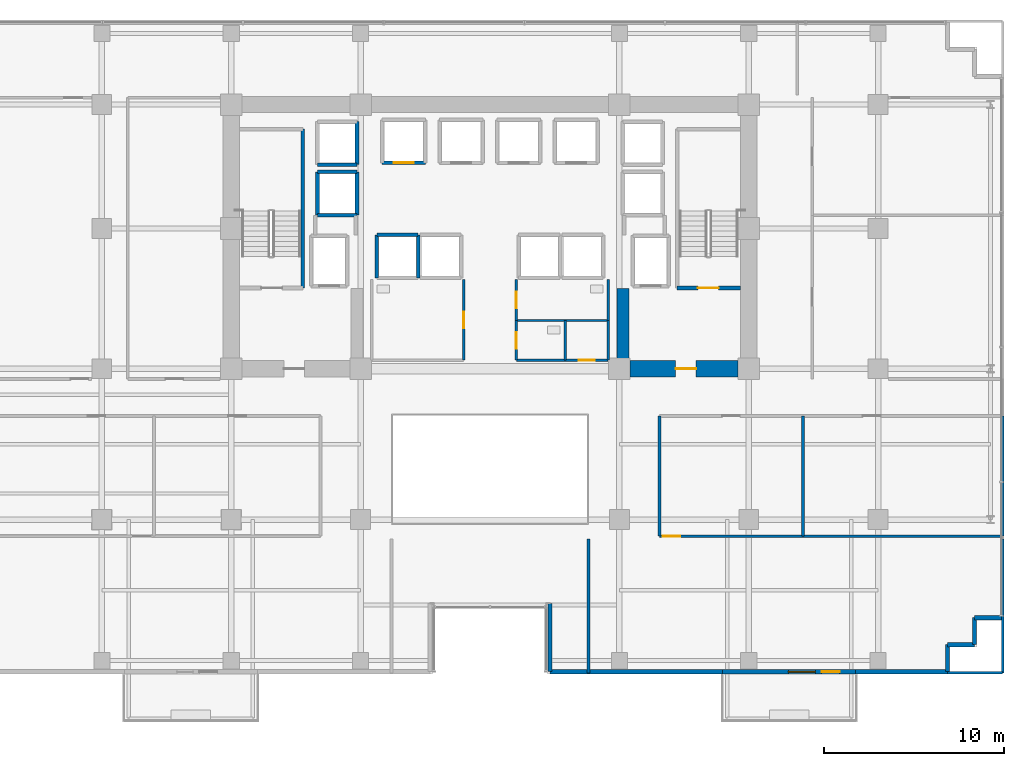
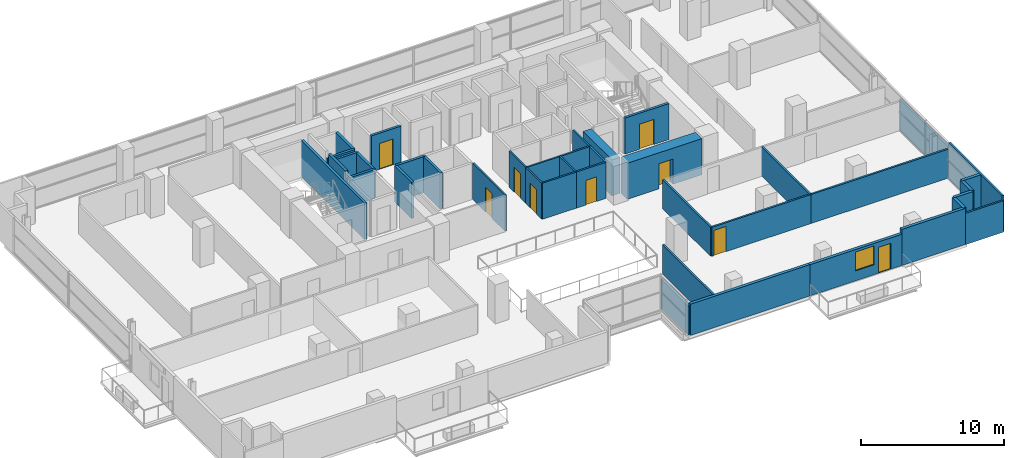
# One storey, part 24 of 30: 39 walls, 9 doors, 1 window, 10 openings.
"""IFC4 building model written with IfcOpenShell, lengths in metres."""

from ifc_helpers import new_model, si_unit, direction, frame, frame_2d, origin, place, context, subcontext, project, spatial, rectangle, extrude, source, transform, mapped, material, layer, layer_set, type_object, element, fill, save


model = new_model("IFC4")

# Units and contexts
model_context = context("Model", 3, precision=1e-05, world=origin(), true_north=direction((0.0, 1.0)))
body_context = subcontext(model_context, "Body", "Model", "MODEL_VIEW")
ifc_project = project(units=[si_unit("LENGTHUNIT", "METRE"), si_unit("AREAUNIT", "SQUARE_METRE"), si_unit("VOLUMEUNIT", "CUBIC_METRE"), si_unit("PLANEANGLEUNIT", "RADIAN"), si_unit("MASSUNIT", "GRAM", prefix="KILO")], contexts=[model_context])

# Site, building, storey
site_placement = place(None, origin())
site = spatial("IfcSite", under=ifc_project, at=site_placement, CompositionType="ELEMENT")
building_placement = place(site_placement, origin())
building = spatial("IfcBuilding", under=site, at=building_placement, Name="Zarnakvel Exchange Tower", CompositionType="ELEMENT")
storey_placement = place(building_placement, frame((0.0, 0.0, 40.60009765625)))
storey = spatial("IfcBuildingStorey", under=building, at=storey_placement, Name="L10", CompositionType="ELEMENT", Elevation=40.60009765625)

# Wall, opening, door
ifc_material_1 = material(Name="Concrete C80/95", Category="concrete")
ifc_layer_1 = layer(ifc_material_1, 0.89990234375)
ifc_layer_set_1 = layer_set([ifc_layer_1], Name="Concrete C80/95")
wall_type_1 = type_object("IfcWallType", Name="CW-C1", PredefinedType="SHEAR", material=ifc_layer_set_1)
wall_1_placement = place(storey_placement, frame((13.800048828125, -1.199951171875, 0.0), z_axis=(0.0, 0.0, 1.0), x_axis=(-1.0, 0.0, 0.0)))
wall_1 = element("IfcWall", 1, at=wall_1_placement, inside=storey, type_object=wall_type_1, Name="L10 Rear Core Shear Wall SE (CW-C1)", PredefinedType="SHEAR", context=body_context, shape_type="SweptSolid", body=[
    extrude(rectangle(XDim=6.0, YDim=0.89990234375, at=frame_2d((3.0, 0.0))), origin(), (0.0, 0.0, 1.0), 3.074951171875),
])
opening_1_placement = place(wall_1_placement, frame((2.324951171875, 0.0, 0.0)))
opening_1 = element("IfcOpeningElement", 2, at=opening_1_placement, cuts=wall_1, Name="Opening D-L10-04", PredefinedType="OPENING", context=body_context, shape_type="SweptSolid", body=[
    extrude(rectangle(XDim=1.14990234375, YDim=2.14990234375, at=frame_2d((0.574951171875, 1.074951171875))), frame((0.0, 0.4599609375, 0.0), z_axis=(0.0, -1.0, 0.0), x_axis=(1.0, 0.0, 0.0)), (0.0, 0.0, 1.0), 0.919921875),
])
ifc_material_2 = material(Name="Painted Galvanised Steel S355", Category="steel")
door_type_1 = type_object("IfcDoorType", Name="DT-04", OperationType="NOTDEFINED", PredefinedType="DOOR", material=ifc_material_2)
shared_shape_1 = source(origin(), body_context, "Body", "SweptSolid", [
    extrude(rectangle(XDim=1.14990234375, YDim=2.14990234375, at=frame_2d((0.574951171875, 1.074951171875))), frame((0.0, 0.02490234375, 0.0), z_axis=(0.0, -1.0, 0.0), x_axis=(1.0, 0.0, 0.0)), (0.0, 0.0, 1.0), 0.050048828125),
])
door_1_placement = place(opening_1_placement, origin())
door_1 = element("IfcDoor", 3, at=door_1_placement, inside=storey, type_object=door_type_1, Name="L10 Firefighting Lobby East Door D-L10-04", OperationType="SINGLE_SWING_RIGHT", OverallHeight=2.14990234375, OverallWidth=1.14990234375, PredefinedType="DOOR", context=body_context, shape_type="MappedRepresentation", body=[
    mapped(shared_shape_1, transform((0.0, 0.0, 0.0), x_axis=(1.0, 0.0, 0.0), y_axis=(0.0, 1.0, 0.0), z_axis=(0.0, 0.0, 1.0), scale=1.0)),
])
fill(opening_1, door_1)

# Wall
ifc_layer_2 = layer(ifc_material_1, 0.64990234375)
ifc_layer_set_2 = layer_set([ifc_layer_2], Name="Concrete C80/95")
wall_type_2 = type_object("IfcWallType", Name="CW-C2", PredefinedType="SHEAR", material=ifc_layer_set_2)
wall_2_placement = place(storey_placement, frame((7.39990234375, -0.75, 0.0), z_axis=(0.0, 0.0, 1.0), x_axis=(0.0, 1.0, 0.0)))
element("IfcWall", 4, at=wall_2_placement, inside=storey, type_object=wall_type_2, Name="L10 Rear Core Shear Wall IE (CW-C2)", PredefinedType="SHEAR", context=body_context, shape_type="SweptSolid", body=[
    extrude(rectangle(XDim=4.0, YDim=0.64990234375, at=frame_2d((2.0, 0.0))), origin(), (0.0, 0.0, 1.0), 3.074951171875),
])

# Wall, openings, door, window
ifc_material_3 = material(Name="Precast concrete C40/50", Category="concrete")
ifc_layer_3 = layer(ifc_material_3, 0.239990234375)
ifc_layer_set_3 = layer_set([ifc_layer_3], Name="Precast concrete C40/50")
wall_type_3 = type_object("IfcWallType", Name="EW-02", PredefinedType="SOLIDWALL", material=ifc_layer_set_3)
wall_3_placement = place(storey_placement, frame((20.35009765625, -18.06005859375, 0.0), z_axis=(0.0, 0.0, 1.0), x_axis=(-1.0, 0.0, 0.0)))
wall_3 = element("IfcWall", 5, at=wall_3_placement, inside=storey, type_object=wall_type_3, Name="L10 Exterior Precast Spandrel Wall EW-BAL-L10-SE (EW-02)", PredefinedType="SOLIDWALL", context=body_context, shape_type="SweptSolid", body=[
    extrude(rectangle(XDim=7.400146484375, YDim=0.239990234375, at=frame_2d((3.7001953125, 0.0))), origin(), (0.0, 0.0, 1.0), 2.664794921875),
])
opening_2_placement = place(wall_3_placement, frame((0.887939453125, 0.0, 0.0)))
opening_2 = element("IfcOpeningElement", 6, at=opening_2_placement, cuts=wall_3, Name="Opening BD-L10-02", PredefinedType="OPENING", context=body_context, shape_type="SweptSolid", body=[
    extrude(rectangle(XDim=1.0, YDim=2.199951171875, at=frame_2d((0.5, 1.10009765625))), frame((0.0, 0.1298828125, 0.0), z_axis=(0.0, -1.0, 0.0), x_axis=(1.0, 0.0, 0.0)), (0.0, 0.0, 1.0), 0.260009765625),
])
opening_3_placement = place(wall_3_placement, frame((2.238037109375, 0.0, 0.85009765625)))
opening_3 = element("IfcOpeningElement", 7, at=opening_3_placement, cuts=wall_3, Name="Opening WN-03", PredefinedType="OPENING", context=body_context, shape_type="SweptSolid", body=[
    extrude(rectangle(XDim=1.5, YDim=1.60009765625, at=frame_2d((0.75, 0.800048828125))), frame((0.0, 0.1298828125, 0.0), z_axis=(0.0, -1.0, 0.0), x_axis=(1.0, 0.0, 0.0)), (0.0, 0.0, 1.0), 0.260009765625),
])
ifc_material_4 = material(Name="Architectural Bronze Anodised Aluminium", Category="aluminium")
door_type_2 = type_object("IfcDoorType", Name="DT-09", OperationType="NOTDEFINED", PredefinedType="DOOR", material=ifc_material_4)
shared_shape_2 = source(origin(), body_context, "Body", "SweptSolid", [
    extrude(rectangle(XDim=1.0, YDim=2.199951171875, at=frame_2d((0.5, 1.10009765625))), frame((0.0, 0.02490234375, 0.0), z_axis=(0.0, -1.0, 0.0), x_axis=(1.0, 0.0, 0.0)), (0.0, 0.0, 1.0), 0.050048828125),
])
door_2_placement = place(opening_2_placement, origin())
door_2 = element("IfcDoor", 8, at=door_2_placement, inside=storey, type_object=door_type_2, Name="L10 Planted Loggia Balcony Door BD-L10-02", OperationType="SINGLE_SWING_LEFT", OverallHeight=2.199951171875, OverallWidth=1.0, PredefinedType="DOOR", context=body_context, shape_type="MappedRepresentation", body=[
    mapped(shared_shape_2, transform((0.0, 0.0, 0.0), x_axis=(1.0, 0.0, 0.0), y_axis=(0.0, 1.0, 0.0), z_axis=(0.0, 0.0, 1.0), scale=1.0)),
])
fill(opening_2, door_2)
ifc_material_5 = material(Name="Double Low-E Laminated Vision Glass", Category="glass")
window_type = type_object("IfcWindowType", Name="WN-03", PartitioningType="SINGLE_PANEL", PredefinedType="WINDOW", material=ifc_material_5)
shared_shape_3 = source(origin(), body_context, "Body", "SweptSolid", [
    extrude(rectangle(XDim=1.5, YDim=1.60009765625, at=frame_2d((0.75, 0.800048828125))), frame((0.0, 0.030029296875, 0.0), z_axis=(0.0, -1.0, 0.0), x_axis=(1.0, 0.0, 0.0)), (0.0, 0.0, 1.0), 0.06005859375),
])
window_placement = place(opening_3_placement, origin())
window = element("IfcWindow", 9, at=window_placement, inside=storey, type_object=window_type, Name="L10 Loggia Daylight Window (WN-03)", OverallHeight=1.60009765625, OverallWidth=1.5, PartitioningType="SINGLE_PANEL", PredefinedType="WINDOW", context=body_context, shape_type="MappedRepresentation", body=[
    mapped(shared_shape_3, transform((0.0, 0.0, 0.0), x_axis=(1.0, 0.0, 0.0), y_axis=(0.0, 1.0, 0.0), z_axis=(0.0, 0.0, 1.0), scale=1.0)),
])
fill(opening_3, window)

# Walls
for number, where, z_axis, x_axis, name in (
    (10, (26.9599609375, -15.06005859375, 0.0), (0.0, 0.0, 1.0), (1.0, 0.0, 0.0), "L10 Exterior Precast Spandrel Wall EWC-L10-11 (EW-02)"),
    (11, (26.9599609375, -16.56005859375, 0.0), (0.0, 0.0, 1.0), (0.0, 1.0, 0.0), "L10 Exterior Precast Spandrel Wall EWC-L10-12 (EW-02)"),
    (12, (25.4599609375, -16.56005859375, 0.0), (0.0, 0.0, 1.0), (1.0, 0.0, 0.0), "L10 Exterior Precast Spandrel Wall EWC-L10-13 (EW-02)"),
    (13, (25.4599609375, -18.06005859375, 0.0), (0.0, 0.0, 1.0), (0.0, 1.0, 0.0), "L10 Exterior Precast Spandrel Wall EWC-L10-14 (EW-02)"),
):
    element("IfcWall", number, at=place(storey_placement, frame(where, z_axis=z_axis, x_axis=x_axis)), inside=storey, type_object=wall_type_3, Name=name, PredefinedType="SOLIDWALL", context=body_context, shape_type="SweptSolid", body=[
        extrude(rectangle(XDim=1.5, YDim=0.239990234375, at=frame_2d((0.75, 0.0))), origin(), (0.0, 0.0, 1.0), 3.074951171875),
    ])
wall_4_placement = place(storey_placement, frame((20.35009765625, -18.06005859375, 0.0), z_axis=(0.0, 0.0, 1.0), x_axis=(1.0, 0.0, 0.0)))
element("IfcWall", 14, at=wall_4_placement, inside=storey, type_object=wall_type_3, Name="L10 Exterior Precast Spandrel Wall EWC-L10-15 (EW-02)", PredefinedType="SOLIDWALL", context=body_context, shape_type="SweptSolid", body=[
    extrude(rectangle(XDim=5.10986328125, YDim=0.239990234375, at=frame_2d((2.554931640625, 0.0))), origin(), (0.0, 0.0, 1.0), 3.074951171875),
])
wall_5_placement = place(storey_placement, frame((3.340087890625, -18.06005859375, 0.0), z_axis=(0.0, 0.0, 1.0), x_axis=(1.0, 0.0, 0.0)))
element("IfcWall", 15, at=wall_5_placement, inside=storey, type_object=wall_type_3, Name="L10 Exterior Precast Spandrel Wall EWC-L10-16 (EW-02)", PredefinedType="SOLIDWALL", context=body_context, shape_type="SweptSolid", body=[
    extrude(rectangle(XDim=9.60986328125, YDim=0.239990234375, at=frame_2d((4.804931640625, 0.0))), origin(), (0.0, 0.0, 1.0), 2.664794921875),
])
wall_6_placement = place(storey_placement, frame((3.340087890625, -14.260009765625, 0.0), z_axis=(0.0, 0.0, 1.0), x_axis=(0.0, -1.0, 0.0)))
element("IfcWall", 16, at=wall_6_placement, inside=storey, type_object=wall_type_3, Name="L10 Exterior Precast Spandrel Wall EWC-L10-17 (EW-02)", PredefinedType="SOLIDWALL", context=body_context, shape_type="SweptSolid", body=[
    extrude(rectangle(XDim=3.800048828125, YDim=0.239990234375, at=frame_2d((1.89990234375, 0.0))), origin(), (0.0, 0.0, 1.0), 2.46484375),
])

# Wall, opening, door
ifc_material_6 = material(Name="Fire-Rated Gypsum Stud Partition", Category="gypsum")
ifc_layer_4 = layer(ifc_material_6, 0.14990234375)
ifc_layer_set_4 = layer_set([ifc_layer_4], Name="Fire-Rated Gypsum Stud Partition")
wall_type_4 = type_object("IfcWallType", Name="PT-01", PredefinedType="PARTITIONING", material=ifc_layer_set_4)
wall_7_placement = place(storey_placement, frame((6.580078125, -0.72998046875, 0.0), z_axis=(0.0, 0.0, 1.0), x_axis=(-1.0, 0.0, 0.0)))
wall_7 = element("IfcWall", 17, at=wall_7_placement, inside=storey, type_object=wall_type_4, Name="L10 Partition Wall PWALL-L10-020 (PT-01)", PredefinedType="PARTITIONING", context=body_context, shape_type="SweptSolid", body=[
    extrude(rectangle(XDim=2.400146484375, YDim=0.14990234375, at=frame_2d((1.2001953125, 0.0))), origin(), (0.0, 0.0, 1.0), 3.074951171875),
])
opening_4_placement = place(wall_7_placement, frame((0.760009765625, 0.0, 0.0)))
opening_4 = element("IfcOpeningElement", 18, at=opening_4_placement, cuts=wall_7, Name="Opening D-L10-08", PredefinedType="OPENING", context=body_context, shape_type="SweptSolid", body=[
    extrude(rectangle(XDim=0.8798828125, YDim=2.10009765625, at=frame_2d((0.43994140625, 1.050048828125))), frame((0.0, 0.0849609375, 0.0), z_axis=(0.0, -1.0, 0.0), x_axis=(1.0, 0.0, 0.0)), (0.0, 0.0, 1.0), 0.169921875),
])
door_type_3 = type_object("IfcDoorType", Name="DT-08", OperationType="NOTDEFINED", PredefinedType="DOOR", material=ifc_material_2)
shared_shape_4 = source(origin(), body_context, "Body", "SweptSolid", [
    extrude(rectangle(XDim=0.8798828125, YDim=2.10009765625, at=frame_2d((0.43994140625, 1.050048828125))), frame((0.0, 0.02490234375, 0.0), z_axis=(0.0, -1.0, 0.0), x_axis=(1.0, 0.0, 0.0)), (0.0, 0.0, 1.0), 0.050048828125),
])
door_3_placement = place(opening_4_placement, origin())
door_3 = element("IfcDoor", 19, at=door_3_placement, inside=storey, type_object=door_type_3, Name="L10 Cleaners Store Door D-L10-08", OperationType="SINGLE_SWING_RIGHT", OverallHeight=2.10009765625, OverallWidth=0.8798828125, PredefinedType="DOOR", context=body_context, shape_type="MappedRepresentation", body=[
    mapped(shared_shape_4, transform((0.0, 0.0, 0.0), x_axis=(1.0, 0.0, 0.0), y_axis=(0.0, 1.0, 0.0), z_axis=(0.0, 0.0, 1.0), scale=1.0)),
])
fill(opening_4, door_3)

# Wall
wall_8_placement = place(storey_placement, frame((6.580078125, 1.47998046875, 0.0), z_axis=(0.0, 0.0, 1.0), x_axis=(0.0, -1.0, 0.0)))
element("IfcWall", 20, at=wall_8_placement, inside=storey, type_object=wall_type_4, Name="L10 Partition Wall PWALL-L10-021 (PT-01)", PredefinedType="PARTITIONING", context=body_context, shape_type="SweptSolid", body=[
    extrude(rectangle(XDim=2.2099609375, YDim=0.14990234375, at=frame_2d((1.10498046875, 0.0))), origin(), (0.0, 0.0, 1.0), 3.074951171875),
])

# Wall, opening, door
wall_9_placement = place(storey_placement, frame((17.4150390625, -10.52001953125, 0.0), z_axis=(0.0, 0.0, 1.0), x_axis=(-1.0, 0.0, 0.0)))
wall_9 = element("IfcWall", 21, at=wall_9_placement, inside=storey, type_object=wall_type_4, Name="L10 Partition Wall PWALL-L10-032 (PT-01)", PredefinedType="PARTITIONING", context=body_context, shape_type="SweptSolid", body=[
    extrude(rectangle(XDim=7.985107421875, YDim=0.14990234375, at=frame_2d((3.99267578125, 0.0))), origin(), (0.0, 0.0, 1.0), 2.46484375),
])
opening_5_placement = place(wall_9_placement, frame((6.824951171875, 0.0, 0.0)))
opening_5 = element("IfcOpeningElement", 22, at=opening_5_placement, cuts=wall_9, Name="Opening D-L10-14", PredefinedType="OPENING", context=body_context, shape_type="SweptSolid", body=[
    extrude(rectangle(XDim=0.97998046875, YDim=2.14990234375, at=frame_2d((0.489990234375, 1.074951171875))), frame((0.0, 0.0849609375, 0.0), z_axis=(0.0, -1.0, 0.0), x_axis=(1.0, 0.0, 0.0)), (0.0, 0.0, 1.0), 0.169921875),
])
ifc_material_7 = material(Name="Timber Acoustic Veneer", Category="wood")
door_type_4 = type_object("IfcDoorType", Name="DT-05", OperationType="NOTDEFINED", PredefinedType="DOOR", material=ifc_material_7)
shared_shape_5 = source(origin(), body_context, "Body", "SweptSolid", [
    extrude(rectangle(XDim=0.97998046875, YDim=2.14990234375, at=frame_2d((0.489990234375, 1.074951171875))), frame((0.0, 0.02490234375, 0.0), z_axis=(0.0, -1.0, 0.0), x_axis=(1.0, 0.0, 0.0)), (0.0, 0.0, 1.0), 0.050048828125),
])
door_4_placement = place(opening_5_placement, origin())
door_4 = element("IfcDoor", 23, at=door_4_placement, inside=storey, type_object=door_type_4, Name="L10 Clearing Office Door D-L10-14", OperationType="SINGLE_SWING_RIGHT", OverallHeight=2.14990234375, OverallWidth=0.97998046875, PredefinedType="DOOR", context=body_context, shape_type="MappedRepresentation", body=[
    mapped(shared_shape_5, transform((0.0, 0.0, 0.0), x_axis=(1.0, 0.0, 0.0), y_axis=(0.0, 1.0, 0.0), z_axis=(0.0, 0.0, 1.0), scale=1.0)),
])
fill(opening_5, door_4)

# Walls
for number, where, z_axis, x_axis, name in (
    (24, (9.429931640625, -10.52001953125, 0.0), (0.0, 0.0, 1.0), (0.0, 1.0, 0.0), "L10 Partition Wall PWALL-L10-034 (PT-01)"),
    (25, (17.4150390625, -3.830078125, 0.0), (0.0, 0.0, 1.0), (0.0, -1.0, 0.0), "L10 Partition Wall PWALL-L10-035 (PT-01)"),
):
    element("IfcWall", number, at=place(storey_placement, frame(where, z_axis=z_axis, x_axis=x_axis)), inside=storey, type_object=wall_type_4, Name=name, PredefinedType="PARTITIONING", context=body_context, shape_type="SweptSolid", body=[
        extrude(rectangle(XDim=6.68994140625, YDim=0.14990234375, at=frame_2d((3.344970703125, 0.0))), origin(), (0.0, 0.0, 1.0), 2.46484375),
    ])
wall_10_placement = place(storey_placement, frame((28.530029296875, -10.52001953125, 0.0), z_axis=(0.0, 0.0, 1.0), x_axis=(-1.0, 0.0, 0.0)))
element("IfcWall", 26, at=wall_10_placement, inside=storey, type_object=wall_type_4, Name="L10 Partition Wall PWALL-L10-036 (PT-01)", PredefinedType="PARTITIONING", context=body_context, shape_type="SweptSolid", body=[
    extrude(rectangle(XDim=11.114990234375, YDim=0.14990234375, at=frame_2d((5.5576171875, 0.0))), origin(), (0.0, 0.0, 1.0), 2.46484375),
])
wall_11_placement = place(storey_placement, frame((28.530029296875, -3.830078125, 0.0), z_axis=(0.0, 0.0, 1.0), x_axis=(0.0, -1.0, 0.0)))
element("IfcWall", 27, at=wall_11_placement, inside=storey, type_object=wall_type_4, Name="L10 Partition Wall PWALL-L10-038 (PT-01)", PredefinedType="PARTITIONING", context=body_context, shape_type="SweptSolid", body=[
    extrude(rectangle(XDim=6.68994140625, YDim=0.14990234375, at=frame_2d((3.344970703125, 0.0))), origin(), (0.0, 0.0, 1.0), 2.664794921875),
])
wall_12_placement = place(storey_placement, frame((28.530029296875, -18.1298828125, 0.0), z_axis=(0.0, 0.0, 1.0), x_axis=(-1.0, 0.0, 0.0)))
element("IfcWall", 28, at=wall_12_placement, inside=storey, type_object=wall_type_4, Name="L10 Partition Wall PWALL-L10-039 (PT-01)", PredefinedType="PARTITIONING", context=body_context, shape_type="SweptSolid", body=[
    extrude(rectangle(XDim=3.070068359375, YDim=0.14990234375, at=frame_2d((1.53515625, 0.0))), origin(), (0.0, 0.0, 1.0), 2.664794921875),
])
wall_13_placement = place(storey_placement, frame((5.47998046875, -18.1298828125, 0.0), z_axis=(0.0, 0.0, 1.0), x_axis=(0.0, 1.0, 0.0)))
element("IfcWall", 29, at=wall_13_placement, inside=storey, type_object=wall_type_4, Name="L10 Partition Wall PWALL-L10-040 (PT-01)", PredefinedType="PARTITIONING", context=body_context, shape_type="SweptSolid", body=[
    extrude(rectangle(XDim=7.449951171875, YDim=0.14990234375, at=frame_2d((3.72509765625, 0.0))), origin(), (0.0, 0.0, 1.0), 2.46484375),
])
wall_14_placement = place(storey_placement, frame((28.530029296875, -10.679931640625, 0.0), z_axis=(0.0, 0.0, 1.0), x_axis=(0.0, -1.0, 0.0)))
element("IfcWall", 30, at=wall_14_placement, inside=storey, type_object=wall_type_4, Name="L10 Partition Wall PWALL-L10-041 (PT-01)", PredefinedType="PARTITIONING", context=body_context, shape_type="SweptSolid", body=[
    extrude(rectangle(XDim=7.449951171875, YDim=0.14990234375, at=frame_2d((3.72509765625, 0.0))), origin(), (0.0, 0.0, 1.0), 3.074951171875),
])

# Wall, opening, door
ifc_material_8 = material(Name="Moisture-Resistant Tile-Faced Partition", Category="gypsum")
ifc_layer_5 = layer(ifc_material_8, 0.135009765625)
ifc_layer_set_5 = layer_set([ifc_layer_5], Name="Moisture-Resistant Tile-Faced Partition")
wall_type_5 = type_object("IfcWallType", Name="PT-03", PredefinedType="PARTITIONING", material=ifc_layer_set_5)
wall_15_placement = place(storey_placement, frame((-1.469970703125, 3.760009765625, 0.0), z_axis=(0.0, 0.0, 1.0), x_axis=(0.0, -1.0, 0.0)))
wall_15 = element("IfcWall", 31, at=wall_15_placement, inside=storey, type_object=wall_type_5, Name="L10 Partition Wall PWALL-L10-013 (PT-03)", PredefinedType="PARTITIONING", context=body_context, shape_type="SweptSolid", body=[
    extrude(rectangle(XDim=4.489990234375, YDim=0.135009765625, at=frame_2d((2.2451171875, 0.0))), origin(), (0.0, 0.0, 1.0), 3.074951171875),
])
opening_6_placement = place(wall_15_placement, frame((1.800048828125, 0.0, 0.0)))
opening_6 = element("IfcOpeningElement", 32, at=opening_6_placement, cuts=wall_15, Name="Opening D-L10-05", PredefinedType="OPENING", context=body_context, shape_type="SweptSolid", body=[
    extrude(rectangle(XDim=0.919921875, YDim=2.10009765625, at=frame_2d((0.4599609375, 1.050048828125))), frame((0.0, 0.077392578125, 0.0), z_axis=(0.0, -1.0, 0.0), x_axis=(1.0, 0.0, 0.0)), (0.0, 0.0, 1.0), 0.155029296875),
])
ifc_material_9 = material(Name="Moisture-Resistant Laminate Timber", Category="wood")
door_type_5 = type_object("IfcDoorType", Name="DT-07", OperationType="NOTDEFINED", PredefinedType="DOOR", material=ifc_material_9)
shared_shape_6 = source(origin(), body_context, "Body", "SweptSolid", [
    extrude(rectangle(XDim=0.919921875, YDim=2.10009765625, at=frame_2d((0.4599609375, 1.050048828125))), frame((0.0, 0.02490234375, 0.0), z_axis=(0.0, -1.0, 0.0), x_axis=(1.0, 0.0, 0.0)), (0.0, 0.0, 1.0), 0.050048828125),
])
door_5_placement = place(opening_6_placement, origin())
door_5 = element("IfcDoor", 33, at=door_5_placement, inside=storey, type_object=door_type_5, Name="L10 Male Toilet Door D-L10-05", OperationType="SINGLE_SWING_LEFT", OverallHeight=2.10009765625, OverallWidth=0.919921875, PredefinedType="DOOR", context=body_context, shape_type="MappedRepresentation", body=[
    mapped(shared_shape_6, transform((0.0, 0.0, 0.0), x_axis=(1.0, 0.0, 0.0), y_axis=(0.0, 1.0, 0.0), z_axis=(0.0, 0.0, 1.0), scale=1.0)),
])
fill(opening_6, door_5)

# Wall
wall_16_placement = place(storey_placement, frame((6.580078125, 1.47998046875, 0.0), z_axis=(0.0, 0.0, 1.0), x_axis=(-1.0, 0.0, 0.0)))
element("IfcWall", 34, at=wall_16_placement, inside=storey, type_object=wall_type_5, Name="L10 Partition Wall PWALL-L10-014 (PT-03)", PredefinedType="PARTITIONING", context=body_context, shape_type="SweptSolid", body=[
    extrude(rectangle(XDim=5.110107421875, YDim=0.135009765625, at=frame_2d((2.55517578125, 0.0))), origin(), (0.0, 0.0, 1.0), 3.074951171875),
])

# Wall, opening, door
wall_17_placement = place(storey_placement, frame((1.469970703125, 1.47998046875, 0.0), z_axis=(0.0, 0.0, 1.0), x_axis=(0.0, 1.0, 0.0)))
wall_17 = element("IfcWall", 35, at=wall_17_placement, inside=storey, type_object=wall_type_5, Name="L10 Partition Wall PWALL-L10-015 (PT-03)", PredefinedType="PARTITIONING", context=body_context, shape_type="SweptSolid", body=[
    extrude(rectangle(XDim=2.280029296875, YDim=0.135009765625, at=frame_2d((1.14013671875, 0.0))), origin(), (0.0, 0.0, 1.0), 3.074951171875),
])
opening_7_placement = place(wall_17_placement, frame((0.679931640625, 0.0, 0.0)))
opening_7 = element("IfcOpeningElement", 36, at=opening_7_placement, cuts=wall_17, Name="Opening D-L10-06", PredefinedType="OPENING", context=body_context, shape_type="SweptSolid", body=[
    extrude(rectangle(XDim=0.919921875, YDim=2.10009765625, at=frame_2d((0.4599609375, 1.050048828125))), frame((0.0, 0.077392578125, 0.0), z_axis=(0.0, -1.0, 0.0), x_axis=(1.0, 0.0, 0.0)), (0.0, 0.0, 1.0), 0.155029296875),
])
door_6_placement = place(opening_7_placement, origin())
door_6 = element("IfcDoor", 37, at=door_6_placement, inside=storey, type_object=door_type_5, Name="L10 Female Toilet Door D-L10-06", OperationType="SINGLE_SWING_RIGHT", OverallHeight=2.10009765625, OverallWidth=0.919921875, PredefinedType="DOOR", context=body_context, shape_type="MappedRepresentation", body=[
    mapped(shared_shape_6, transform((0.0, 0.0, 0.0), x_axis=(1.0, 0.0, 0.0), y_axis=(0.0, 1.0, 0.0), z_axis=(0.0, 0.0, 1.0), scale=1.0)),
])
fill(opening_7, door_6)

# Walls
wall_18_placement = place(storey_placement, frame((6.580078125, 3.760009765625, 0.0), z_axis=(0.0, 0.0, 1.0), x_axis=(0.0, -1.0, 0.0)))
element("IfcWall", 38, at=wall_18_placement, inside=storey, type_object=wall_type_5, Name="L10 Partition Wall PWALL-L10-016 (PT-03)", PredefinedType="PARTITIONING", context=body_context, shape_type="SweptSolid", body=[
    extrude(rectangle(XDim=2.280029296875, YDim=0.135009765625, at=frame_2d((1.14013671875, 0.0))), origin(), (0.0, 0.0, 1.0), 3.074951171875),
])
wall_19_placement = place(storey_placement, frame((4.179931640625, -0.72998046875, 0.0), z_axis=(0.0, 0.0, 1.0), x_axis=(-1.0, 0.0, 0.0)))
element("IfcWall", 39, at=wall_19_placement, inside=storey, type_object=wall_type_5, Name="L10 Partition Wall PWALL-L10-017 (PT-03)", PredefinedType="PARTITIONING", context=body_context, shape_type="SweptSolid", body=[
    extrude(rectangle(XDim=2.7099609375, YDim=0.135009765625, at=frame_2d((1.35498046875, 0.0))), origin(), (0.0, 0.0, 1.0), 3.074951171875),
])

# Wall, opening, door
wall_20_placement = place(storey_placement, frame((1.469970703125, -0.72998046875, 0.0), z_axis=(0.0, 0.0, 1.0), x_axis=(0.0, 1.0, 0.0)))
wall_20 = element("IfcWall", 40, at=wall_20_placement, inside=storey, type_object=wall_type_5, Name="L10 Partition Wall PWALL-L10-018 (PT-03)", PredefinedType="PARTITIONING", context=body_context, shape_type="SweptSolid", body=[
    extrude(rectangle(XDim=2.2099609375, YDim=0.135009765625, at=frame_2d((1.10498046875, 0.0))), origin(), (0.0, 0.0, 1.0), 3.074951171875),
])
opening_8_placement = place(wall_20_placement, frame((0.64990234375, 0.0, 0.0)))
opening_8 = element("IfcOpeningElement", 41, at=opening_8_placement, cuts=wall_20, Name="Opening D-L10-07", PredefinedType="OPENING", context=body_context, shape_type="SweptSolid", body=[
    extrude(rectangle(XDim=0.919921875, YDim=2.10009765625, at=frame_2d((0.4599609375, 1.050048828125))), frame((0.0, 0.077392578125, 0.0), z_axis=(0.0, -1.0, 0.0), x_axis=(1.0, 0.0, 0.0)), (0.0, 0.0, 1.0), 0.155029296875),
])
door_7_placement = place(opening_8_placement, origin())
door_7 = element("IfcDoor", 42, at=door_7_placement, inside=storey, type_object=door_type_5, Name="L10 Accessible Toilet Door D-L10-07", OperationType="SINGLE_SWING_LEFT", OverallHeight=2.10009765625, OverallWidth=0.919921875, PredefinedType="DOOR", context=body_context, shape_type="MappedRepresentation", body=[
    mapped(shared_shape_6, transform((0.0, 0.0, 0.0), x_axis=(1.0, 0.0, 0.0), y_axis=(0.0, 1.0, 0.0), z_axis=(0.0, 0.0, 1.0), scale=1.0)),
])
fill(opening_8, door_7)

# Wall
wall_21_placement = place(storey_placement, frame((4.179931640625, 1.47998046875, 0.0), z_axis=(0.0, 0.0, 1.0), x_axis=(0.0, -1.0, 0.0)))
element("IfcWall", 43, at=wall_21_placement, inside=storey, type_object=wall_type_5, Name="L10 Partition Wall PWALL-L10-019 (PT-03)", PredefinedType="PARTITIONING", context=body_context, shape_type="SweptSolid", body=[
    extrude(rectangle(XDim=2.2099609375, YDim=0.135009765625, at=frame_2d((1.10498046875, 0.0))), origin(), (0.0, 0.0, 1.0), 3.074951171875),
])

# Wall, opening, door
ifc_material_10 = material(Name="Concrete C40/50", Category="concrete")
ifc_layer_6 = layer(ifc_material_10, 0.199951171875)
ifc_layer_set_6 = layer_set([ifc_layer_6], Name="Concrete C40/50")
wall_type_6 = type_object("IfcWallType", Name="SW-01", PredefinedType="SOLIDWALL", material=ifc_layer_set_6)
wall_22_placement = place(storey_placement, frame((-3.60009765625, 10.25, 0.0), z_axis=(0.0, 0.0, 1.0), x_axis=(-1.0, 0.0, 0.0)))
wall_22 = element("IfcWall", 44, at=wall_22_placement, inside=storey, type_object=wall_type_6, Name="L10 PL-01 Hoistway Wall South", PredefinedType="SOLIDWALL", context=body_context, shape_type="SweptSolid", body=[
    extrude(rectangle(XDim=2.39990234375, YDim=0.199951171875, at=frame_2d((1.199951171875, 0.0))), origin(), (0.0, 0.0, 1.0), 3.074951171875),
])
opening_9_placement = place(wall_22_placement, frame((0.64990234375, 0.0, 0.0)))
opening_9 = element("IfcOpeningElement", 45, at=opening_9_placement, cuts=wall_22, Name="Opening LD-PL-01-L10", PredefinedType="OPENING", context=body_context, shape_type="SweptSolid", body=[
    extrude(rectangle(XDim=1.10009765625, YDim=2.199951171875, at=frame_2d((0.550048828125, 1.10009765625))), frame((0.0, 0.10986328125, 0.0), z_axis=(0.0, -1.0, 0.0), x_axis=(1.0, 0.0, 0.0)), (0.0, 0.0, 1.0), 0.219970703125),
])
door_type_6 = type_object("IfcDoorType", Name="LDT-02", OperationType="NOTDEFINED", PredefinedType="DOOR", material=ifc_material_4)
shared_shape_7 = source(origin(), body_context, "Body", "SweptSolid", [
    extrude(rectangle(XDim=1.10009765625, YDim=2.199951171875, at=frame_2d((0.550048828125, 1.10009765625))), frame((0.0, 0.02490234375, 0.0), z_axis=(0.0, -1.0, 0.0), x_axis=(1.0, 0.0, 0.0)), (0.0, 0.0, 1.0), 0.050048828125),
])
door_8_placement = place(opening_9_placement, origin())
door_8 = element("IfcDoor", 46, at=door_8_placement, inside=storey, type_object=door_type_6, Name="L10 PL-01 Lift Landing Door LD-PL-01-L10", OperationType="DOUBLE_DOOR_SLIDING", OverallHeight=2.199951171875, OverallWidth=1.10009765625, PredefinedType="DOOR", context=body_context, shape_type="MappedRepresentation", body=[
    mapped(shared_shape_7, transform((0.0, 0.0, 0.0), x_axis=(1.0, 0.0, 0.0), y_axis=(0.0, 1.0, 0.0), z_axis=(0.0, 0.0, 1.0), scale=1.0)),
])
fill(opening_9, door_8)

# Walls
wall_23_placement = place(storey_placement, frame((-6.300048828125, 6.25, 0.0), z_axis=(0.0, 0.0, 1.0), x_axis=(1.0, 0.0, 0.0)))
element("IfcWall", 47, at=wall_23_placement, inside=storey, type_object=wall_type_6, Name="L10 PL-05 Hoistway Wall North", PredefinedType="SOLIDWALL", context=body_context, shape_type="SweptSolid", body=[
    extrude(rectangle(XDim=2.300048828125, YDim=0.199951171875, at=frame_2d((1.14990234375, 0.0))), origin(), (0.0, 0.0, 1.0), 3.074951171875),
])
for number, where, z_axis, x_axis, name in (
    (48, (-6.300048828125, 3.85009765625, 0.0), (0.0, 0.0, 1.0), (0.0, 1.0, 0.0), "L10 PL-05 Hoistway Wall West"),
    (49, (-4.0, 6.25, 0.0), (0.0, 0.0, 1.0), (0.0, -1.0, 0.0), "L10 PL-05 Hoistway Wall East"),
):
    element("IfcWall", number, at=place(storey_placement, frame(where, z_axis=z_axis, x_axis=x_axis)), inside=storey, type_object=wall_type_6, Name=name, PredefinedType="SOLIDWALL", context=body_context, shape_type="SweptSolid", body=[
        extrude(rectangle(XDim=2.39990234375, YDim=0.199951171875, at=frame_2d((1.199951171875, 0.0))), origin(), (0.0, 0.0, 1.0), 3.074951171875),
    ])
for number, where, z_axis, x_axis, name in (
    (50, (-7.39990234375, 7.35009765625, 0.0), (0.0, 0.0, 1.0), (-1.0, 0.0, 0.0), "L10 PL-09 Hoistway Wall South"),
    (51, (-9.60009765625, 9.75, 0.0), (0.0, 0.0, 1.0), (1.0, 0.0, 0.0), "L10 PL-09 Hoistway Wall North"),
):
    element("IfcWall", number, at=place(storey_placement, frame(where, z_axis=z_axis, x_axis=x_axis)), inside=storey, type_object=wall_type_6, Name=name, PredefinedType="SOLIDWALL", context=body_context, shape_type="SweptSolid", body=[
        extrude(rectangle(XDim=2.2001953125, YDim=0.199951171875, at=frame_2d((1.10009765625, 0.0))), origin(), (0.0, 0.0, 1.0), 2.46484375),
    ])
wall_24_placement = place(storey_placement, frame((-9.60009765625, 7.35009765625, 0.0), z_axis=(0.0, 0.0, 1.0), x_axis=(0.0, 1.0, 0.0)))
element("IfcWall", 52, at=wall_24_placement, inside=storey, type_object=wall_type_6, Name="L10 PL-09 Hoistway Wall West", PredefinedType="SOLIDWALL", context=body_context, shape_type="SweptSolid", body=[
    extrude(rectangle(XDim=2.39990234375, YDim=0.199951171875, at=frame_2d((1.199951171875, 0.0))), origin(), (0.0, 0.0, 1.0), 3.074951171875),
])
wall_25_placement = place(storey_placement, frame((-7.39990234375, 9.75, 0.0), z_axis=(0.0, 0.0, 1.0), x_axis=(0.0, -1.0, 0.0)))
element("IfcWall", 53, at=wall_25_placement, inside=storey, type_object=wall_type_6, Name="L10 PL-09 Hoistway Wall East", PredefinedType="SOLIDWALL", context=body_context, shape_type="SweptSolid", body=[
    extrude(rectangle(XDim=2.39990234375, YDim=0.199951171875, at=frame_2d((1.199951171875, 0.0))), origin(), (0.0, 0.0, 1.0), 2.46484375),
])
wall_26_placement = place(storey_placement, frame((-7.39990234375, 10.14990234375, 0.0), z_axis=(0.0, 0.0, 1.0), x_axis=(-1.0, 0.0, 0.0)))
element("IfcWall", 54, at=wall_26_placement, inside=storey, type_object=wall_type_6, Name="L10 PL-10 Hoistway Wall South", PredefinedType="SOLIDWALL", context=body_context, shape_type="SweptSolid", body=[
    extrude(rectangle(XDim=2.2001953125, YDim=0.199951171875, at=frame_2d((1.10009765625, 0.0))), origin(), (0.0, 0.0, 1.0), 2.46484375),
])
wall_27_placement = place(storey_placement, frame((-7.39990234375, 12.550048828125, 0.0), z_axis=(0.0, 0.0, 1.0), x_axis=(0.0, -1.0, 0.0)))
element("IfcWall", 55, at=wall_27_placement, inside=storey, type_object=wall_type_6, Name="L10 PL-10 Hoistway Wall East", PredefinedType="SOLIDWALL", context=body_context, shape_type="SweptSolid", body=[
    extrude(rectangle(XDim=2.400146484375, YDim=0.199951171875, at=frame_2d((1.2001953125, 0.0))), origin(), (0.0, 0.0, 1.0), 2.46484375),
])
ifc_layer_7 = layer(ifc_material_10, 0.199951171875)
ifc_layer_set_7 = layer_set([ifc_layer_7], Name="Concrete C40/50")
wall_type_7 = type_object("IfcWallType", Name="SW-02", PredefinedType="SOLIDWALL", material=ifc_layer_set_7)
wall_28_placement = place(storey_placement, frame((-10.409912109375, 12.1298828125, 0.0), z_axis=(0.0, 0.0, 1.0), x_axis=(0.0, -1.0, 0.0)))
element("IfcWall", 56, at=wall_28_placement, inside=storey, type_object=wall_type_7, Name="L10 Stairwell Core Wall PWALL-L10-003 (SW-02)", PredefinedType="SOLIDWALL", context=body_context, shape_type="SweptSolid", body=[
    extrude(rectangle(XDim=8.83984375, YDim=0.199951171875, at=frame_2d((4.419921875, 0.0))), origin(), (0.0, 0.0, 1.0), 3.074951171875),
])

# Wall, opening, door
wall_29_placement = place(storey_placement, frame((13.929931640625, 3.2900390625, 0.0), z_axis=(0.0, 0.0, 1.0), x_axis=(-1.0, 0.0, 0.0)))
wall_29 = element("IfcWall", 57, at=wall_29_placement, inside=storey, type_object=wall_type_7, Name="L10 Stairwell Core Wall PWALL-L10-004 (SW-02)", PredefinedType="SOLIDWALL", context=body_context, shape_type="SweptSolid", body=[
    extrude(rectangle(XDim=3.52001953125, YDim=0.199951171875, at=frame_2d((1.760009765625, 0.0))), origin(), (0.0, 0.0, 1.0), 3.074951171875),
])
opening_10_placement = place(wall_29_placement, frame((1.205078125, 0.0, 0.0)))
opening_10 = element("IfcOpeningElement", 58, at=opening_10_placement, cuts=wall_29, Name="Opening D-L10-02", PredefinedType="OPENING", context=body_context, shape_type="SweptSolid", body=[
    extrude(rectangle(XDim=1.14990234375, YDim=2.14990234375, at=frame_2d((0.574951171875, 1.074951171875))), frame((0.0, 0.10986328125, 0.0), z_axis=(0.0, -1.0, 0.0), x_axis=(1.0, 0.0, 0.0)), (0.0, 0.0, 1.0), 0.219970703125),
])
door_9_placement = place(opening_10_placement, origin())
door_9 = element("IfcDoor", 59, at=door_9_placement, inside=storey, type_object=door_type_1, Name="L10 Stairwell ST-02 Door D-L10-02", OperationType="SINGLE_SWING_RIGHT", OverallHeight=2.14990234375, OverallWidth=1.14990234375, PredefinedType="DOOR", context=body_context, shape_type="MappedRepresentation", body=[
    mapped(shared_shape_1, transform((0.0, 0.0, 0.0), x_axis=(1.0, 0.0, 0.0), y_axis=(0.0, 1.0, 0.0), z_axis=(0.0, 0.0, 1.0), scale=1.0)),
])
fill(opening_10, door_9)

save(model, "model.ifc")
